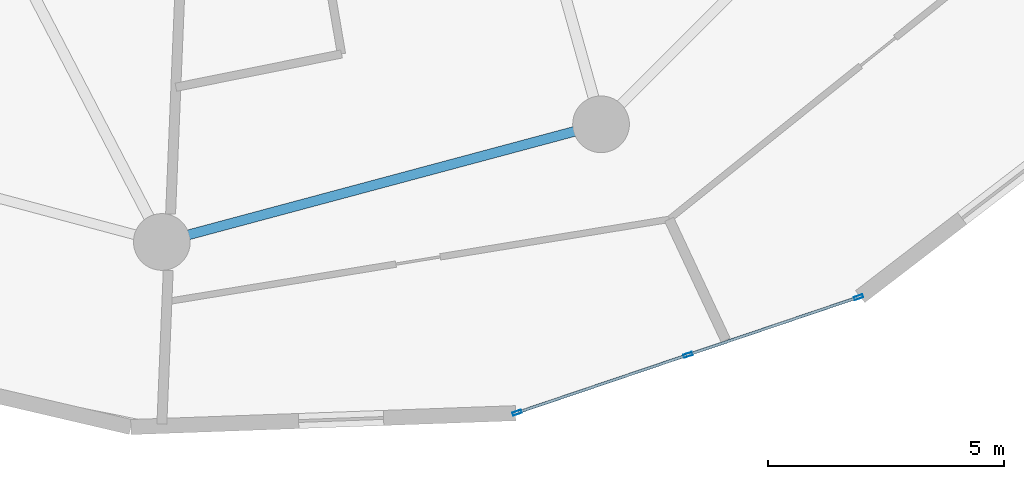
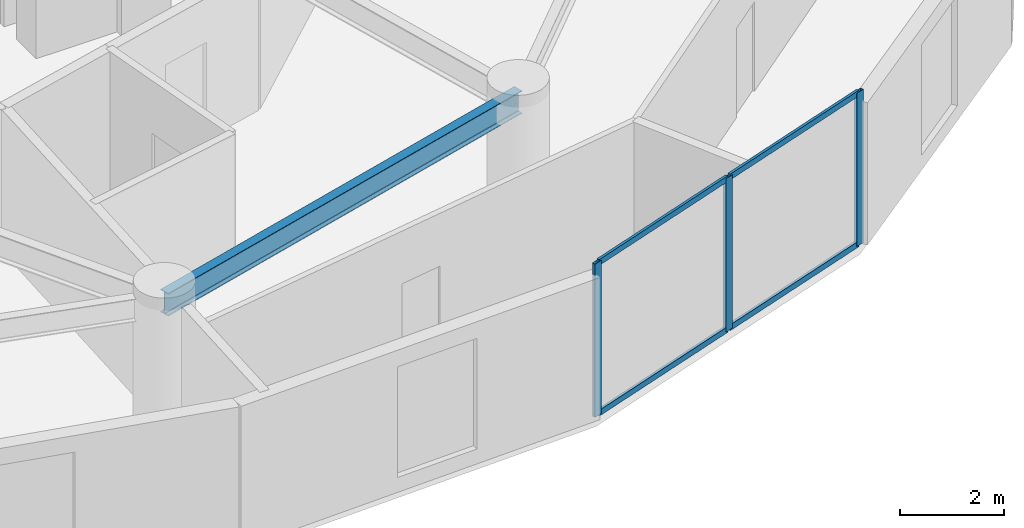
# One storey, part 6 of 23: 7 members, 1 beam, 1 element without a shape of its own.
"""IFC4 building model written with IfcOpenShell, lengths in metres."""

from ifc_helpers import new_model, si_unit, direction, frame, origin, origin_2d, place, context, subcontext, project, spatial, hollow_rectangle, i_section, extrude, source, transform, mapped, material, layer, layer_set, material_profile, profile_set, type_object, element, aggregate, save


model = new_model("IFC4")

# Units and contexts
model_context = context("Model", 3, precision=1e-05, world=origin(), true_north=direction((0.0, 1.0)))
body_context = subcontext(model_context, "Body", "Model", "MODEL_VIEW")
ifc_project = project(units=[si_unit("LENGTHUNIT", "METRE"), si_unit("AREAUNIT", "SQUARE_METRE"), si_unit("VOLUMEUNIT", "CUBIC_METRE"), si_unit("PLANEANGLEUNIT", "RADIAN"), si_unit("MASSUNIT", "GRAM", prefix="KILO")], contexts=[model_context])

# Site, building, storey
site_placement = place(None, origin())
site = spatial("IfcSite", under=ifc_project, at=site_placement, CompositionType="ELEMENT")
building_placement = place(site_placement, origin())
building = spatial("IfcBuilding", under=site, at=building_placement, Name="Solvirekh Grand Hotel", CompositionType="ELEMENT")
storey_placement = place(building_placement, frame((0.0, 0.0, 75.199951171875)))
storey = spatial("IfcBuildingStorey", under=building, at=storey_placement, Name="L18", CompositionType="ELEMENT", Elevation=75.199951171875)

# Beam
ifc_material_1 = material(Name="Steel S355", Category="steel")
ifc_material_profile_1 = material_profile(ifc_material_1, i_section(OverallWidth=0.208984375, OverallDepth=0.532958984375, WebThickness=0.010009765625, FlangeThickness=0.014892578125, FilletRadius=0.013916015625, at=origin_2d()), Name="W530X92")
ifc_profile_set_1 = profile_set([ifc_material_profile_1], Name="Steel S355")
beam_type = type_object("IfcBeamType", Name="Spandrel_Ring_W530", PredefinedType="SPANDREL", material=ifc_profile_set_1)
beam_placement = place(storey_placement, frame((0.0, -18.60009765625, 3.073974609375), z_axis=(0.965919414426, 0.258842973314, 0.0), x_axis=(-0.258842973314, 0.965919414426, 0.0)))
element("IfcBeam", 1, at=beam_placement, inside=storey, type_object=beam_type, Name="L18 perimeter spandrel beam 10", PredefinedType="SPANDREL", context=body_context, shape_type="SweptSolid", body=[
    extrude(i_section(OverallWidth=0.208984375, OverallDepth=0.532958984375, WebThickness=0.010009765625, FlangeThickness=0.014892578125, FilletRadius=0.013916015625, at=origin_2d()), origin(), (0.0, 0.0, 1.0), 9.628173828125),
])

# Curtain wall, members
ifc_material_2 = material(Name="Anodized Bronze Aluminium 6063-T6", Category="aluminium")
ifc_layer = layer(ifc_material_2, 0.18994140625)
ifc_layer_set = layer_set([ifc_layer], Name="Anodized Bronze Aluminium 6063-T6")
curtain_wall_type = type_object("IfcCurtainWallType", Name="CW_Sys2_LowZoneFlushBronzeCW", PredefinedType="NOTDEFINED", material=ifc_layer_set)
curtain_wall_placement = place(storey_placement, origin())
curtain_wall = element("IfcCurtainWall", 2, at=curtain_wall_placement, inside=storey, type_object=curtain_wall_type, Name="L18 unitised bronze-glass curtain wall CW-L18-C18", PredefinedType="NOTDEFINED")
ifc_material_profile_2 = material_profile(ifc_material_2, hollow_rectangle(XDim=0.070068359375, YDim=0.18994140625, WallThickness=0.0048828125, at=origin_2d()), Name="ALU RHS 190X70X5")
ifc_profile_set_2 = profile_set([ifc_material_profile_2], Name="Anodized Bronze Aluminium 6063-T6")
member_type_1 = type_object("IfcMemberType", Name="CWMullion_Sys2", PredefinedType="MULLION", material=ifc_profile_set_2)
shared_shape_1 = source(origin(), body_context, "Body", "SweptSolid", [
    extrude(hollow_rectangle(XDim=0.070068359375, YDim=0.18994140625, WallThickness=0.0048828125, at=origin_2d()), origin(), (0.0, 0.0, 1.0), 3.60009765625),
])
member_1_placement = place(storey_placement, frame((7.523193359375, -22.21484375, 0.0), z_axis=(0.0, 0.0, 1.0), x_axis=(-0.320468965331, 0.947259015402, 0.0)))
member_1 = element("IfcMember", 3, at=member_1_placement, type_object=member_type_1, Name="U02 mullion 1", PredefinedType="MULLION", context=body_context, shape_type="MappedRepresentation", body=[
    mapped(shared_shape_1, transform((0.0, 0.0, 0.0), x_axis=(1.0, 0.0, 0.0), y_axis=(0.0, 1.0, 0.0), z_axis=(0.0, 0.0, 1.0), scale=1.0)),
])
member_2_placement = place(storey_placement, frame((11.138916015625, -20.991455078125, 0.0), z_axis=(0.0, 0.0, 1.0), x_axis=(-0.320468965331, 0.947259015402, 0.0)))
member_2 = element("IfcMember", 4, at=member_2_placement, type_object=member_type_1, Name="U02 mullion 2", PredefinedType="MULLION", context=body_context, shape_type="MappedRepresentation", body=[
    mapped(shared_shape_1, transform((0.0, 0.0, 0.0), x_axis=(1.0, 0.0, 0.0), y_axis=(0.0, 1.0, 0.0), z_axis=(0.0, 0.0, 1.0), scale=1.0)),
])
member_3_placement = place(storey_placement, frame((14.7548828125, -19.768310546875, 0.0), z_axis=(0.0, 0.0, 1.0), x_axis=(-0.320468965331, 0.947259015402, 0.0)))
member_3 = element("IfcMember", 5, at=member_3_placement, type_object=member_type_1, Name="U02 mullion 3", PredefinedType="MULLION", context=body_context, shape_type="MappedRepresentation", body=[
    mapped(shared_shape_1, transform((0.0, 0.0, 0.0), x_axis=(1.0, 0.0, 0.0), y_axis=(0.0, 1.0, 0.0), z_axis=(0.0, 0.0, 1.0), scale=1.0)),
])
ifc_material_profile_3 = material_profile(ifc_material_2, hollow_rectangle(XDim=0.06005859375, YDim=0.135009765625, WallThickness=0.00390625, at=origin_2d()), Name="ALU RHS 135X60X4")
ifc_profile_set_3 = profile_set([ifc_material_profile_3], Name="Anodized Bronze Aluminium 6063-T6")
member_type_2 = type_object("IfcMemberType", Name="CWTransom_Sys2", PredefinedType="USERDEFINED", material=ifc_profile_set_3)
shared_shape_2 = source(origin(), body_context, "Body", "SweptSolid", [
    extrude(hollow_rectangle(XDim=0.06005859375, YDim=0.135009765625, WallThickness=0.00390625, at=origin_2d()), origin(), (0.0, 0.0, 1.0), 3.747314453125),
])
member_4_placement = place(storey_placement, frame((7.556396484375, -22.20361328125, 0.030029296875), z_axis=(0.947253402674, 0.320485555248, 0.0), x_axis=(-0.320485555248, 0.947253402674, 0.0)))
member_4 = element("IfcMember", 6, at=member_4_placement, type_object=member_type_2, Name="U02 transom 1.1", ObjectType="TRANSOM", PredefinedType="USERDEFINED", context=body_context, shape_type="MappedRepresentation", body=[
    mapped(shared_shape_2, transform((0.0, 0.0, 0.0), x_axis=(1.0, 0.0, 0.0), y_axis=(0.0, 1.0, 0.0), z_axis=(0.0, 0.0, 1.0), scale=1.0)),
])
member_5_placement = place(storey_placement, frame((7.556396484375, -22.20361328125, 3.570068359375), z_axis=(0.947253402674, 0.320485555248, 0.0), x_axis=(-0.320485555248, 0.947253402674, 0.0)))
member_5 = element("IfcMember", 7, at=member_5_placement, type_object=member_type_2, Name="U02 transom 1.2", ObjectType="TRANSOM", PredefinedType="USERDEFINED", context=body_context, shape_type="MappedRepresentation", body=[
    mapped(shared_shape_2, transform((0.0, 0.0, 0.0), x_axis=(1.0, 0.0, 0.0), y_axis=(0.0, 1.0, 0.0), z_axis=(0.0, 0.0, 1.0), scale=1.0)),
])
shared_shape_3 = source(origin(), body_context, "Body", "SweptSolid", [
    extrude(hollow_rectangle(XDim=0.06005859375, YDim=0.135009765625, WallThickness=0.00390625, at=origin_2d()), origin(), (0.0, 0.0, 1.0), 3.7470703125),
])
member_6_placement = place(storey_placement, frame((11.172119140625, -20.980224609375, 0.030029296875), z_axis=(0.947273180371, 0.320427092721, 0.0), x_axis=(-0.320427092721, 0.947273180371, 0.0)))
member_6 = element("IfcMember", 8, at=member_6_placement, type_object=member_type_2, Name="U02 transom 2.1", ObjectType="TRANSOM", PredefinedType="USERDEFINED", context=body_context, shape_type="MappedRepresentation", body=[
    mapped(shared_shape_3, transform((0.0, 0.0, 0.0), x_axis=(1.0, 0.0, 0.0), y_axis=(0.0, 1.0, 0.0), z_axis=(0.0, 0.0, 1.0), scale=1.0)),
])
member_7_placement = place(storey_placement, frame((11.172119140625, -20.980224609375, 3.570068359375), z_axis=(0.947273180371, 0.320427092721, 0.0), x_axis=(-0.320427092721, 0.947273180371, 0.0)))
member_7 = element("IfcMember", 9, at=member_7_placement, type_object=member_type_2, Name="U02 transom 2.2", ObjectType="TRANSOM", PredefinedType="USERDEFINED", context=body_context, shape_type="MappedRepresentation", body=[
    mapped(shared_shape_3, transform((0.0, 0.0, 0.0), x_axis=(1.0, 0.0, 0.0), y_axis=(0.0, 1.0, 0.0), z_axis=(0.0, 0.0, 1.0), scale=1.0)),
])
aggregate(curtain_wall, [member_1, member_2, member_3, member_4, member_5, member_6, member_7])

save(model, "model.ifc")
